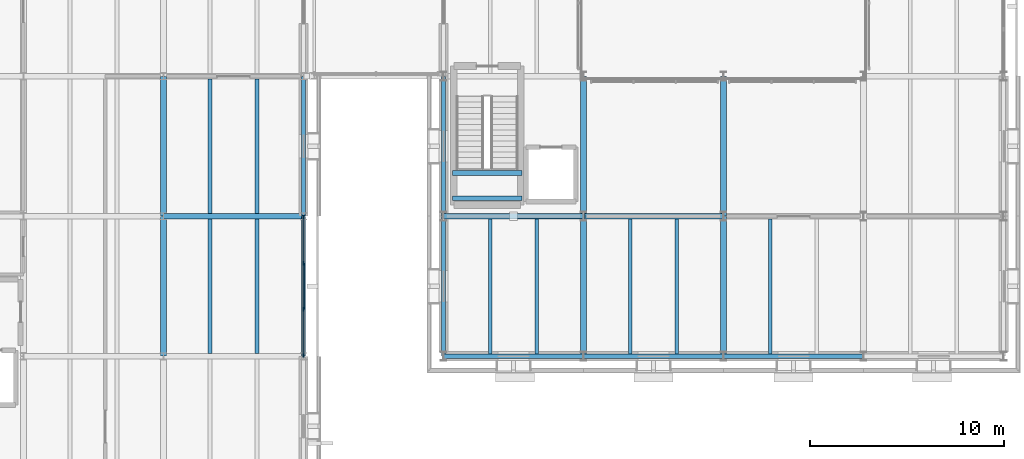
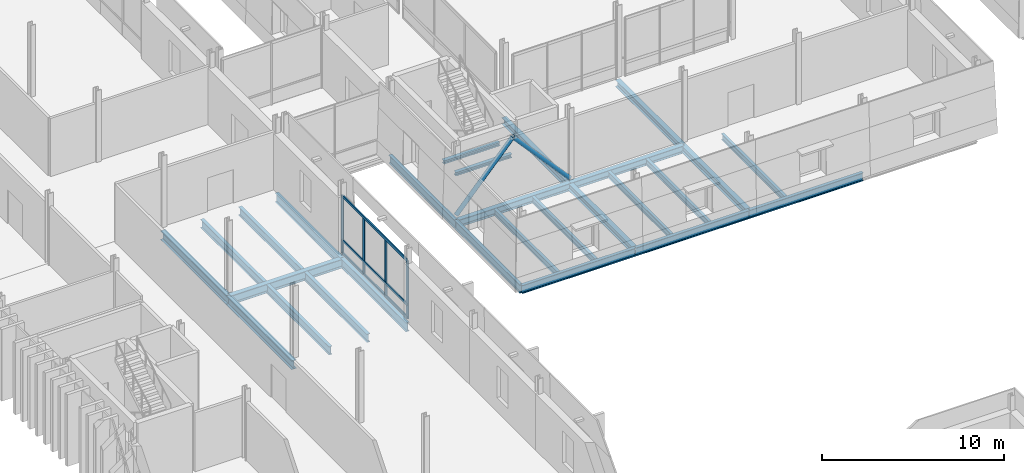
# One storey, part 25 of 121: 27 beams, 9 members, 1 element without a shape of its own.
"""IFC4 building model written with IfcOpenShell, lengths in metres."""

from ifc_helpers import new_model, si_unit, direction, frame, origin, origin_2d, place, context, subcontext, project, spatial, rectangle, hollow_circle, i_section, extrude, material, layer, layer_set, material_profile, profile_set, type_object, element, aggregate, save


model = new_model("IFC4")

# Units and contexts
model_context = context("Model", 3, precision=1e-05, world=origin(), true_north=direction((0.0, 1.0)))
body_context = subcontext(model_context, "Body", "Model", "MODEL_VIEW")
ifc_project = project(units=[si_unit("LENGTHUNIT", "METRE"), si_unit("AREAUNIT", "SQUARE_METRE"), si_unit("VOLUMEUNIT", "CUBIC_METRE"), si_unit("PLANEANGLEUNIT", "RADIAN"), si_unit("MASSUNIT", "GRAM", prefix="KILO")], contexts=[model_context])

# Site, building, storey
site_placement = place(None, origin())
site = spatial("IfcSite", under=ifc_project, at=site_placement, CompositionType="ELEMENT")
building_placement = place(site_placement, origin())
building = spatial("IfcBuilding", under=site, at=building_placement, Name="Narikvali Park Central Library", CompositionType="ELEMENT")
storey_placement = place(building_placement, frame((0.0, 0.0, 5.39990234375)))
storey = spatial("IfcBuildingStorey", under=building, at=storey_placement, Name="L01", CompositionType="ELEMENT", Elevation=5.39990234375)

# Curtain wall, members
ifc_material_1 = material(Name="Anodised Bronze Aluminium", Category="aluminium")
ifc_layer = layer(ifc_material_1, 0.219970703125, Name="Anodised Bronze Aluminium")
ifc_layer_set = layer_set([ifc_layer], Name="Anodised Bronze Aluminium")
curtain_wall_type = type_object("IfcCurtainWallType", Name="Atrium Tall Curtain Wall System", PredefinedType="NOTDEFINED", material=ifc_layer_set)
curtain_wall_placement = place(storey_placement, origin())
curtain_wall = element("IfcCurtainWall", 1, at=curtain_wall_placement, inside=storey, type_object=curtain_wall_type, Name="Atrium Tall Curtain Wall System CW-V5-L01-E-04", PredefinedType="NOTDEFINED")
ifc_material_profile_1 = material_profile(ifc_material_1, rectangle(XDim=0.074951171875, YDim=0.179931640625, at=origin_2d()), Name="CW TRANSOM 75x180")
ifc_profile_set_1 = profile_set([ifc_material_profile_1], Name="Anodised Bronze Aluminium")
member_type_1 = type_object("IfcMemberType", Name="Curtain Wall Heavy Transom 75x180", PredefinedType="USERDEFINED", material=ifc_profile_set_1)
member_1_placement = place(storey_placement, frame((21.60009765625, 50.43798828125, 0.030029296875), z_axis=(0.0, 1.0, 0.0), x_axis=(-1.0, 0.0, 0.0)))
member_1 = element("IfcMember", 2, at=member_1_placement, type_object=member_type_1, Name="CW-V5-L01-E-04 Transom 00", ObjectType="TRANSOM", PredefinedType="USERDEFINED", context=body_context, shape_type="SweptSolid", body=[
    extrude(rectangle(XDim=0.074951171875, YDim=0.179931640625, at=origin_2d()), origin(), (0.0, 0.0, 1.0), 7.1240234375),
])
member_2_placement = place(storey_placement, frame((21.60009765625, 50.43798828125, 0.900146484375), z_axis=(0.0, 1.0, 0.0), x_axis=(-1.0, 0.0, 0.0)))
member_2 = element("IfcMember", 3, at=member_2_placement, type_object=member_type_1, Name="CW-V5-L01-E-04 Transom 01", ObjectType="TRANSOM", PredefinedType="USERDEFINED", context=body_context, shape_type="SweptSolid", body=[
    extrude(rectangle(XDim=0.074951171875, YDim=0.179931640625, at=origin_2d()), origin(), (0.0, 0.0, 1.0), 7.1240234375),
])
member_3_placement = place(storey_placement, frame((21.60009765625, 50.43798828125, 3.85009765625), z_axis=(0.0, 1.0, 0.0), x_axis=(-1.0, 0.0, 0.0)))
member_3 = element("IfcMember", 4, at=member_3_placement, type_object=member_type_1, Name="CW-V5-L01-E-04 Transom 02", ObjectType="TRANSOM", PredefinedType="USERDEFINED", context=body_context, shape_type="SweptSolid", body=[
    extrude(rectangle(XDim=0.074951171875, YDim=0.179931640625, at=origin_2d()), origin(), (0.0, 0.0, 1.0), 7.1240234375),
])
ifc_material_profile_2 = material_profile(ifc_material_1, rectangle(XDim=0.070068359375, YDim=0.199951171875, at=origin_2d()), Name="CW MULLION 70x200")
ifc_profile_set_2 = profile_set([ifc_material_profile_2], Name="Anodised Bronze Aluminium")
member_type_2 = type_object("IfcMemberType", Name="Curtain Wall Mullion 70x200", PredefinedType="MULLION", material=ifc_profile_set_2)
member_4_placement = place(storey_placement, frame((21.60009765625, 50.43798828125, -0.010009765625), z_axis=(0.0, 0.0, 1.0), x_axis=(1.0, 0.0, 0.0)))
member_4 = element("IfcMember", 5, at=member_4_placement, type_object=member_type_2, Name="CW-V5-L01-E-04 Mullion 00", PredefinedType="MULLION", context=body_context, shape_type="SweptSolid", body=[
    extrude(rectangle(XDim=0.070068359375, YDim=0.199951171875, at=origin_2d()), origin(), (0.0, 0.0, 1.0), 3.89013671875),
])
member_5_placement = place(storey_placement, frame((21.60009765625, 52.812744140625, -0.010009765625), z_axis=(0.0, 0.0, 1.0), x_axis=(1.0, 0.0, 0.0)))
member_5 = element("IfcMember", 6, at=member_5_placement, type_object=member_type_2, Name="CW-V5-L01-E-04 Mullion 01", PredefinedType="MULLION", context=body_context, shape_type="SweptSolid", body=[
    extrude(rectangle(XDim=0.070068359375, YDim=0.199951171875, at=origin_2d()), origin(), (0.0, 0.0, 1.0), 3.89013671875),
])
member_6_placement = place(storey_placement, frame((21.60009765625, 55.187255859375, -0.010009765625), z_axis=(0.0, 0.0, 1.0), x_axis=(1.0, 0.0, 0.0)))
member_6 = element("IfcMember", 7, at=member_6_placement, type_object=member_type_2, Name="CW-V5-L01-E-04 Mullion 02", PredefinedType="MULLION", context=body_context, shape_type="SweptSolid", body=[
    extrude(rectangle(XDim=0.070068359375, YDim=0.199951171875, at=origin_2d()), origin(), (0.0, 0.0, 1.0), 3.89013671875),
])
member_7_placement = place(storey_placement, frame((21.60009765625, 57.56201171875, -0.010009765625), z_axis=(0.0, 0.0, 1.0), x_axis=(1.0, 0.0, 0.0)))
member_7 = element("IfcMember", 8, at=member_7_placement, type_object=member_type_2, Name="CW-V5-L01-E-04 Mullion 03", PredefinedType="MULLION", context=body_context, shape_type="SweptSolid", body=[
    extrude(rectangle(XDim=0.070068359375, YDim=0.199951171875, at=origin_2d()), origin(), (0.0, 0.0, 1.0), 3.89013671875),
])
aggregate(curtain_wall, [member_4, member_5, member_6, member_7, member_1, member_2, member_3])

# Beams
ifc_material_2 = material(Name="Steel S355", Category="steel")
ifc_material_profile_3 = material_profile(ifc_material_2, i_section(OverallWidth=0.181884765625, OverallDepth=0.404052734375, WebThickness=0.009765625, FlangeThickness=0.015380859375, FilletRadius=0.02099609375, at=origin_2d()), Name="IPEO 400")
ifc_profile_set_3 = profile_set([ifc_material_profile_3], Name="Steel S355")
beam_type_1 = type_object("IfcBeamType", Name="Gallery Floor Joist IPEO400", PredefinedType="JOIST", material=ifc_profile_set_3)
for number, where, z_axis, x_axis, name in (
    (9, (31.199951171875, 50.5048828125, -0.48193359375), (0.0, 1.0, 0.0), (-1.0, 0.0, 0.0), "V4 L01 Composite Joist 1"),
    (10, (33.60009765625, 50.5048828125, -0.48193359375), (0.0, 1.0, 0.0), (-1.0, 0.0, 0.0), "V4 L01 Composite Joist 2"),
    (11, (38.39990234375, 50.5048828125, -0.48193359375), (0.0, 1.0, 0.0), (-1.0, 0.0, 0.0), "V4 L01 Composite Joist 1"),
    (12, (40.800048828125, 50.5048828125, -0.48193359375), (0.0, 1.0, 0.0), (-1.0, 0.0, 0.0), "V4 L01 Composite Joist 2"),
    (13, (45.60009765625, 50.5048828125, -0.48193359375), (0.0, 1.0, 0.0), (-1.0, 0.0, 0.0), "V4 L01 Composite Joist 1"),
):
    element("IfcBeam", number, at=place(storey_placement, frame(where, z_axis=z_axis, x_axis=x_axis)), inside=storey, type_object=beam_type_1, Name=name, PredefinedType="JOIST", context=body_context, shape_type="SweptSolid", body=[
        extrude(i_section(OverallWidth=0.181884765625, OverallDepth=0.404052734375, WebThickness=0.009765625, FlangeThickness=0.015380859375, FilletRadius=0.02099609375, at=origin_2d()), origin(), (0.0, 0.0, 1.0), 6.945068359375),
    ])
ifc_material_profile_4 = material_profile(ifc_material_2, i_section(OverallWidth=0.2119140625, OverallDepth=0.555908203125, WebThickness=0.0126953125, FlangeThickness=0.020263671875, FilletRadius=0.02392578125, at=origin_2d()), Name="IPEO 550")
ifc_profile_set_4 = profile_set([ifc_material_profile_4], Name="Steel S355")
beam_type_2 = type_object("IfcBeamType", Name="Heavy Stack Joist IPEO550", PredefinedType="JOIST", material=ifc_profile_set_4)
for number, where, z_axis, x_axis, name in (
    (14, (16.800048828125, 50.550048828125, -0.577880859375), (0.0, 1.0, 0.0), (-1.0, 0.0, 0.0), "V5 L01 Composite Joist 1"),
    (15, (19.199951171875, 50.550048828125, -0.577880859375), (0.0, 1.0, 0.0), (-1.0, 0.0, 0.0), "V5 L01 Composite Joist 2"),
    (16, (16.800048828125, 57.75, -0.577880859375), (0.0, 1.0, 0.0), (-1.0, 0.0, 0.0), "V5 L01 Composite Joist 1"),
    (17, (19.199951171875, 57.75, -0.577880859375), (0.0, 1.0, 0.0), (-1.0, 0.0, 0.0), "V5 L01 Composite Joist 2"),
):
    element("IfcBeam", number, at=place(storey_placement, frame(where, z_axis=z_axis, x_axis=x_axis)), inside=storey, type_object=beam_type_2, Name=name, PredefinedType="JOIST", context=body_context, shape_type="SweptSolid", body=[
        extrude(i_section(OverallWidth=0.2119140625, OverallDepth=0.555908203125, WebThickness=0.0126953125, FlangeThickness=0.020263671875, FilletRadius=0.02392578125, at=origin_2d()), origin(), (0.0, 0.0, 1.0), 6.89990234375),
    ])
ifc_material_profile_5 = material_profile(ifc_material_2, i_section(OverallWidth=0.2099609375, OverallDepth=0.550048828125, WebThickness=0.010986328125, FlangeThickness=0.01708984375, FilletRadius=0.02392578125, at=origin_2d()), Name="IPE 550")
ifc_profile_set_5 = profile_set([ifc_material_profile_5], Name="Steel S355")
beam_type_3 = type_object("IfcBeamType", Name="Perimeter Spandrel IPE550", PredefinedType="SPANDREL", material=ifc_profile_set_5)
for number, where, z_axis, x_axis, name in (
    (18, (28.80810546875, 50.39990234375, -0.554931640625), (1.0, 0.0, 0.0), (0.0, 1.0, 0.0), "V4 L01 Girder X"),
    (19, (36.008056640625, 50.39990234375, -0.554931640625), (1.0, 0.0, 0.0), (0.0, 1.0, 0.0), "V4 L01 Girder X"),
):
    element("IfcBeam", number, at=place(storey_placement, frame(where, z_axis=z_axis, x_axis=x_axis)), inside=storey, type_object=beam_type_3, Name=name, PredefinedType="SPANDREL", context=body_context, shape_type="SweptSolid", body=[
        extrude(i_section(OverallWidth=0.2099609375, OverallDepth=0.550048828125, WebThickness=0.010986328125, FlangeThickness=0.01708984375, FilletRadius=0.02392578125, at=origin_2d()), origin(), (0.0, 0.0, 1.0), 7.183837890625),
    ])
for number, where, z_axis, x_axis, name in (
    (20, (43.2080078125, 50.39990234375, -0.554931640625), (1.0, 0.0, 0.0), (0.0, 1.0, 0.0), "V4 L01 Girder X"),
    (21, (28.800048828125, 50.407958984375, -0.554931640625), (0.0, 1.0, 0.0), (-1.0, 0.0, 0.0), "V4 L01 Girder Y"),
    (22, (28.800048828125, 57.60791015625, -0.554931640625), (0.0, 1.0, 0.0), (-1.0, 0.0, 0.0), "V4 L01 Girder Y"),
):
    element("IfcBeam", number, at=place(storey_placement, frame(where, z_axis=z_axis, x_axis=x_axis)), inside=storey, type_object=beam_type_3, Name=name, PredefinedType="SPANDREL", context=body_context, shape_type="SweptSolid", body=[
        extrude(i_section(OverallWidth=0.2099609375, OverallDepth=0.550048828125, WebThickness=0.010986328125, FlangeThickness=0.01708984375, FilletRadius=0.02392578125, at=origin_2d()), origin(), (0.0, 0.0, 1.0), 7.18408203125),
    ])
ifc_material_profile_6 = material_profile(ifc_material_2, i_section(OverallWidth=0.219970703125, OverallDepth=0.60009765625, WebThickness=0.011962890625, FlangeThickness=0.01904296875, FilletRadius=0.02392578125, at=origin_2d()), Name="IPE 600")
ifc_profile_set_6 = profile_set([ifc_material_profile_6], Name="Steel S355")
beam_type_4 = type_object("IfcBeamType", Name="Perimeter Spandrel IPE600", PredefinedType="SPANDREL", material=ifc_profile_set_6)
for number, where, z_axis, x_axis, name in (
    (23, (21.60009765625, 50.407958984375, -0.599853515625), (0.0, 1.0, 0.0), (-1.0, 0.0, 0.0), "V5 L01 Girder Y"),
    (24, (21.60009765625, 57.60791015625, -0.599853515625), (0.0, 1.0, 0.0), (-1.0, 0.0, 0.0), "V5 L01 Girder Y"),
):
    element("IfcBeam", number, at=place(storey_placement, frame(where, z_axis=z_axis, x_axis=x_axis)), inside=storey, type_object=beam_type_4, Name=name, PredefinedType="SPANDREL", context=body_context, shape_type="SweptSolid", body=[
        extrude(i_section(OverallWidth=0.219970703125, OverallDepth=0.60009765625, WebThickness=0.011962890625, FlangeThickness=0.01904296875, FilletRadius=0.02392578125, at=origin_2d()), origin(), (0.0, 0.0, 1.0), 7.18408203125),
    ])
ifc_material_profile_7 = material_profile(ifc_material_2, i_section(OverallWidth=0.239990234375, OverallDepth=0.22998046875, WebThickness=0.007568359375, FlangeThickness=0.011962890625, FilletRadius=0.02099609375, at=origin_2d()), Name="HEA 240")
ifc_profile_set_7 = profile_set([ifc_material_profile_7], Name="Steel S355")
beam_type_5 = type_object("IfcBeamType", Name="Primary Girder HEA240", PredefinedType="BEAM", material=ifc_profile_set_7)
for number, where, z_axis, x_axis, name in (
    (25, (29.27001953125, 58.52001953125, 2.085205078125), (1.0, 0.0, 0.0), (0.0, 1.0, 0.0), "ST-07 L01 Landing Trimmer Beam 1-1"),
    (26, (29.27001953125, 59.824951171875, 2.085205078125), (1.0, 0.0, 0.0), (0.0, 1.0, 0.0), "ST-07 L01 Landing Trimmer Beam 1-2"),
):
    element("IfcBeam", number, at=place(storey_placement, frame(where, z_axis=z_axis, x_axis=x_axis)), inside=storey, type_object=beam_type_5, Name=name, PredefinedType="BEAM", context=body_context, shape_type="SweptSolid", body=[
        extrude(i_section(OverallWidth=0.239990234375, OverallDepth=0.22998046875, WebThickness=0.007568359375, FlangeThickness=0.011962890625, FilletRadius=0.02099609375, at=origin_2d()), origin(), (0.0, 0.0, 1.0), 3.56005859375),
    ])
ifc_material_profile_8 = material_profile(ifc_material_2, i_section(OverallWidth=0.300048828125, OverallDepth=0.43994140625, WebThickness=0.011474609375, FlangeThickness=0.02099609375, FilletRadius=0.027099609375, at=origin_2d()), Name="HEA 450")
ifc_profile_set_8 = profile_set([ifc_material_profile_8], Name="Steel S355")
beam_type_6 = type_object("IfcBeamType", Name="Primary Girder HEA450", PredefinedType="BEAM", material=ifc_profile_set_8)
for number, where, z_axis, x_axis, name in (
    (27, (36.0, 50.407958984375, -0.5), (0.0, 1.0, 0.0), (-1.0, 0.0, 0.0), "V4 L01 Girder Y"),
    (28, (36.0, 57.60791015625, -0.5), (0.0, 1.0, 0.0), (-1.0, 0.0, 0.0), "V4 L01 Girder Y"),
    (29, (43.199951171875, 50.407958984375, -0.5), (0.0, 1.0, 0.0), (-1.0, 0.0, 0.0), "V4 L01 Girder Y"),
    (30, (43.199951171875, 57.60791015625, -0.5), (0.0, 1.0, 0.0), (-1.0, 0.0, 0.0), "V4 L01 Girder Y"),
):
    element("IfcBeam", number, at=place(storey_placement, frame(where, z_axis=z_axis, x_axis=x_axis)), inside=storey, type_object=beam_type_6, Name=name, PredefinedType="BEAM", context=body_context, shape_type="SweptSolid", body=[
        extrude(i_section(OverallWidth=0.300048828125, OverallDepth=0.43994140625, WebThickness=0.011474609375, FlangeThickness=0.02099609375, FilletRadius=0.027099609375, at=origin_2d()), origin(), (0.0, 0.0, 1.0), 7.18408203125),
    ])
ifc_material_profile_9 = material_profile(ifc_material_2, i_section(OverallWidth=0.300048828125, OverallDepth=0.489990234375, WebThickness=0.011962890625, FlangeThickness=0.02294921875, FilletRadius=0.027099609375, at=origin_2d()), Name="HEA 500")
ifc_profile_set_9 = profile_set([ifc_material_profile_9], Name="Steel S355")
beam_type_7 = type_object("IfcBeamType", Name="Primary Girder HEA500", PredefinedType="BEAM", material=ifc_profile_set_9)
for number, where, z_axis, x_axis, name in (
    (31, (28.80810546875, 57.60009765625, -0.52490234375), (1.0, 0.0, 0.0), (0.0, 1.0, 0.0), "V4 L01 Girder X"),
    (32, (36.008056640625, 57.60009765625, -0.52490234375), (1.0, 0.0, 0.0), (0.0, 1.0, 0.0), "V4 L01 Girder X"),
):
    element("IfcBeam", number, at=place(storey_placement, frame(where, z_axis=z_axis, x_axis=x_axis)), inside=storey, type_object=beam_type_7, Name=name, PredefinedType="BEAM", context=body_context, shape_type="SweptSolid", body=[
        extrude(i_section(OverallWidth=0.300048828125, OverallDepth=0.489990234375, WebThickness=0.011962890625, FlangeThickness=0.02294921875, FilletRadius=0.027099609375, at=origin_2d()), origin(), (0.0, 0.0, 1.0), 7.183837890625),
    ])
ifc_material_profile_10 = material_profile(ifc_material_2, i_section(OverallWidth=0.300048828125, OverallDepth=0.590087890625, WebThickness=0.012939453125, FlangeThickness=0.02490234375, FilletRadius=0.027099609375, at=origin_2d()), Name="HEA 600")
ifc_profile_set_10 = profile_set([ifc_material_profile_10], Name="Steel S355")
beam_type_8 = type_object("IfcBeamType", Name="Primary Girder HEA600", PredefinedType="BEAM", material=ifc_profile_set_10)
for number, where, z_axis, x_axis, name in (
    (33, (14.39990234375, 50.407958984375, -0.594970703125), (0.0, 1.0, 0.0), (-1.0, 0.0, 0.0), "V5 L01 Girder Y"),
    (34, (14.39990234375, 57.60791015625, -0.594970703125), (0.0, 1.0, 0.0), (-1.0, 0.0, 0.0), "V5 L01 Girder Y"),
):
    element("IfcBeam", number, at=place(storey_placement, frame(where, z_axis=z_axis, x_axis=x_axis)), inside=storey, type_object=beam_type_8, Name=name, PredefinedType="BEAM", context=body_context, shape_type="SweptSolid", body=[
        extrude(i_section(OverallWidth=0.300048828125, OverallDepth=0.590087890625, WebThickness=0.012939453125, FlangeThickness=0.02490234375, FilletRadius=0.027099609375, at=origin_2d()), origin(), (0.0, 0.0, 1.0), 7.18408203125),
    ])
ifc_material_profile_11 = material_profile(ifc_material_2, i_section(OverallWidth=0.300048828125, OverallDepth=0.60009765625, WebThickness=0.015380859375, FlangeThickness=0.030029296875, FilletRadius=0.027099609375, at=origin_2d()), Name="HEB 600")
ifc_profile_set_11 = profile_set([ifc_material_profile_11], Name="Steel S355")
beam_type_9 = type_object("IfcBeamType", Name="Primary Stack Girder HEB600", PredefinedType="BEAM", material=ifc_profile_set_11)
beam_placement = place(storey_placement, frame((14.407958984375, 57.60009765625, -0.599853515625), z_axis=(1.0, 0.0, 0.0), x_axis=(0.0, 1.0, 0.0)))
element("IfcBeam", 35, at=beam_placement, inside=storey, type_object=beam_type_9, Name="V5 L01 Girder X", PredefinedType="BEAM", context=body_context, shape_type="SweptSolid", body=[
    extrude(i_section(OverallWidth=0.300048828125, OverallDepth=0.60009765625, WebThickness=0.015380859375, FlangeThickness=0.030029296875, FilletRadius=0.027099609375, at=origin_2d()), origin(), (0.0, 0.0, 1.0), 7.18408203125),
])

# Members
ifc_material_profile_12 = material_profile(ifc_material_2, hollow_circle(Radius=0.136474609375, WallThickness=0.012451171875, at=origin_2d()), Name="CHS 273x12.5")
ifc_profile_set_12 = profile_set([ifc_material_profile_12], Name="Steel S355")
member_type_3 = type_object("IfcMemberType", Name="Seismic Chevron Brace CHS273", PredefinedType="BRACE", material=ifc_profile_set_12)
member_8_placement = place(storey_placement, frame((28.81494140625, 57.60009765625, 0.01513671875), z_axis=(0.668818765569, 0.0, 0.743425489759), x_axis=(0.0, 1.0, 0.0)))
element("IfcMember", 36, at=member_8_placement, inside=storey, type_object=member_type_3, Name="V4 L01 Seismic Chevron Brace A", PredefinedType="BRACE", context=body_context, shape_type="SweptSolid", body=[
    extrude(hollow_circle(Radius=0.136474609375, WallThickness=0.012451171875, at=origin_2d()), origin(), (0.0, 0.0, 1.0), 5.360107421875),
])
member_9_placement = place(storey_placement, frame((35.985107421875, 57.60009765625, 0.01513671875), z_axis=(-0.66884393765, 0.0, 0.743402843059), x_axis=(0.0, -1.0, 0.0)))
element("IfcMember", 37, at=member_9_placement, inside=storey, type_object=member_type_3, Name="V4 L01 Seismic Chevron Brace B", PredefinedType="BRACE", context=body_context, shape_type="SweptSolid", body=[
    extrude(hollow_circle(Radius=0.136474609375, WallThickness=0.012451171875, at=origin_2d()), origin(), (0.0, 0.0, 1.0), 5.3603515625),
])

save(model, "model.ifc")
